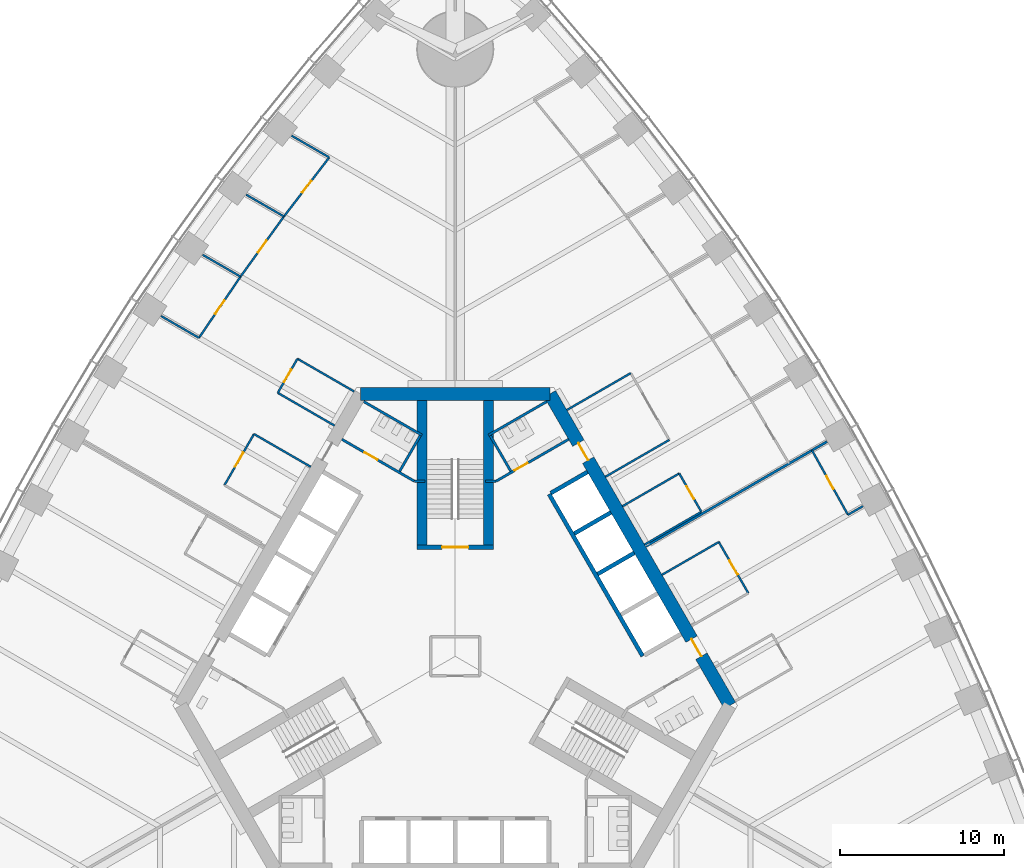
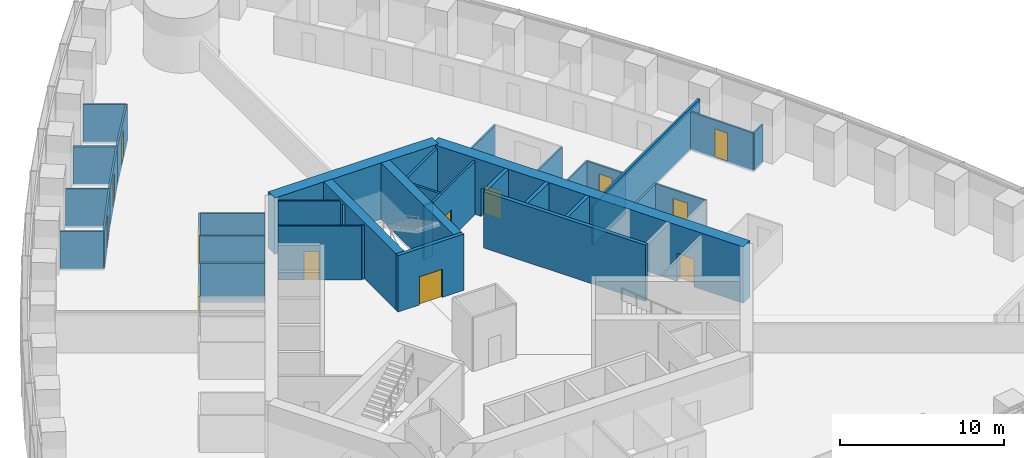
# One storey, part 12 of 18: 39 walls, 13 doors, 13 openings.
"""IFC4 building model written with IfcOpenShell, lengths in metres."""

from ifc_helpers import new_model, si_unit, direction, frame, frame_2d, origin, place, context, subcontext, project, spatial, rectangle, extrude, material, layer, layer_set, type_object, element, fill, save


model = new_model("IFC4")

# Units and contexts
model_context = context("Model", 3, precision=1e-05, world=origin(), true_north=direction((0.0, 1.0)))
body_context = subcontext(model_context, "Body", "Model", "MODEL_VIEW")
ifc_project = project(units=[si_unit("LENGTHUNIT", "METRE"), si_unit("AREAUNIT", "SQUARE_METRE"), si_unit("VOLUMEUNIT", "CUBIC_METRE"), si_unit("PLANEANGLEUNIT", "RADIAN"), si_unit("MASSUNIT", "GRAM", prefix="KILO")], contexts=[model_context])

# Site, building, storey
site_placement = place(None, origin())
site = spatial("IfcSite", under=ifc_project, at=site_placement, CompositionType="ELEMENT")
building_placement = place(site_placement, origin())
building = spatial("IfcBuilding", under=site, at=building_placement, Name="Trefoil Bronze Tower", CompositionType="ELEMENT")
storey_placement = place(building_placement, frame((0.0, 0.0, 37.5)))
storey = spatial("IfcBuildingStorey", under=building, at=storey_placement, Name="L08", CompositionType="ELEMENT", Elevation=37.5)

# Wall, openings, doors
ifc_material_1 = material(Name="Concrete B80", Category="concrete")
ifc_layer_1 = layer(ifc_material_1, 0.800048828125)
ifc_layer_set_1 = layer_set([ifc_layer_1], Name="Core wall 800")
wall_type_1 = type_object("IfcWallType", Name="Core wall 800", PredefinedType="SHEAR", material=ifc_layer_set_1)
wall_1_placement = place(storey_placement, frame((16.7431640625, -3.0, 0.0), z_axis=(0.0, 0.0, 1.0), x_axis=(-0.500002442456, 0.866023993627, 0.0)))
wall_1 = element("IfcWall", 1, at=wall_1_placement, inside=storey, type_object=wall_type_1, Name="Core long wall 2 L08", PredefinedType="SHEAR", context=body_context, shape_type="SweptSolid", body=[
    extrude(rectangle(XDim=21.939453125, YDim=0.800048828125, at=frame_2d((10.9697265625, 0.0))), origin(), (0.0, 0.0, 1.0), 4.199951171875),
])
opening_1_placement = place(wall_1_placement, frame((17.269775390625, 0.0, 0.0)))
opening_1 = element("IfcOpeningElement", 2, at=opening_1_placement, cuts=wall_1, Name="Opening D2", PredefinedType="OPENING", context=body_context, shape_type="SweptSolid", body=[
    extrude(rectangle(XDim=1.199951171875, YDim=2.10009765625, at=frame_2d((0.60009765625, 1.050048828125))), frame((0.0, 0.409912109375, 0.0), z_axis=(0.0, -1.0, 0.0), x_axis=(1.0, 0.0, 0.0)), (0.0, 0.0, 1.0), 0.820068359375),
])
opening_2_placement = place(wall_1_placement, frame((3.4697265625, 0.0, 0.0)))
opening_2 = element("IfcOpeningElement", 3, at=opening_2_placement, cuts=wall_1, Name="Opening D2", PredefinedType="OPENING", context=body_context, shape_type="SweptSolid", body=[
    extrude(rectangle(XDim=1.199951171875, YDim=2.10009765625, at=frame_2d((0.60009765625, 1.050048828125))), frame((0.0, 0.409912109375, 0.0), z_axis=(0.0, -1.0, 0.0), x_axis=(1.0, 0.0, 0.0)), (0.0, 0.0, 1.0), 0.820068359375),
])
ifc_material_2 = material(Name="Steel door", Category="steel")
door_type_1 = type_object("IfcDoorType", Name="Lobby door 1200", OperationType="SINGLE_SWING_RIGHT", PredefinedType="DOOR", material=ifc_material_2)
door_1_placement = place(opening_1_placement, origin())
door_1 = element("IfcDoor", 4, at=door_1_placement, inside=storey, type_object=door_type_1, Name="Lobby door F2+ L08", OperationType="SINGLE_SWING_RIGHT", OverallHeight=2.10009765625, OverallWidth=1.199951171875, PredefinedType="DOOR", context=body_context, shape_type="SweptSolid", body=[
    extrude(rectangle(XDim=1.199951171875, YDim=2.10009765625, at=frame_2d((0.60009765625, 1.050048828125))), frame((0.0, 0.02490234375, 0.0), z_axis=(0.0, -1.0, 0.0), x_axis=(1.0, 0.0, 0.0)), (0.0, 0.0, 1.0), 0.050048828125),
])
fill(opening_1, door_1)
door_2_placement = place(opening_2_placement, origin())
door_2 = element("IfcDoor", 5, at=door_2_placement, inside=storey, type_object=door_type_1, Name="Lobby door F2- L08", OperationType="SINGLE_SWING_LEFT", OverallHeight=2.10009765625, OverallWidth=1.199951171875, PredefinedType="DOOR", context=body_context, shape_type="SweptSolid", body=[
    extrude(rectangle(XDim=1.199951171875, YDim=2.10009765625, at=frame_2d((0.60009765625, 1.050048828125))), frame((0.0, 0.02490234375, 0.0), z_axis=(0.0, -1.0, 0.0), x_axis=(1.0, 0.0, 0.0)), (0.0, 0.0, 1.0), 0.050048828125),
])
fill(opening_2, door_2)

# Wall
wall_2_placement = place(storey_placement, frame((5.7734375, 16.0, 0.0), z_axis=(0.0, 0.0, 1.0), x_axis=(-1.0, 0.0, 0.0)))
element("IfcWall", 6, at=wall_2_placement, inside=storey, type_object=wall_type_1, Name="Core short wall 2 L08", PredefinedType="SHEAR", context=body_context, shape_type="SweptSolid", body=[
    extrude(rectangle(XDim=11.546875, YDim=0.800048828125, at=frame_2d((5.7734375, 0.0))), origin(), (0.0, 0.0, 1.0), 4.199951171875),
])

# Wall, opening, door
ifc_material_3 = material(Name="Glazed partition", Category="glass")
ifc_layer_2 = layer(ifc_material_3, 0.1201171875)
ifc_layer_set_2 = layer_set([ifc_layer_2], Name="Glazed partition 120")
wall_type_2 = type_object("IfcWallType", Name="Glazed partition 120", PredefinedType="PARTITIONING", material=ifc_layer_set_2)
wall_3_placement = place(storey_placement, frame((15.00634765625, 8.808349609375, 0.0), z_axis=(0.0, 0.0, 1.0), x_axis=(-0.500048589285, 0.86599734893, 0.0)))
wall_3 = element("IfcWall", 7, at=wall_3_placement, inside=storey, type_object=wall_type_2, Name="Partition F2 L08", PredefinedType="PARTITIONING", context=body_context, shape_type="SweptSolid", body=[
    extrude(rectangle(XDim=2.699951171875, YDim=0.1201171875, at=frame_2d((1.35009765625, 0.0))), origin(), (0.0, 0.0, 1.0), 2.89990234375),
])
opening_3_placement = place(wall_3_placement, frame((0.89990234375, 0.0, 0.14990234375)))
opening_3 = element("IfcOpeningElement", 8, at=opening_3_placement, cuts=wall_3, Name="Opening D8", PredefinedType="OPENING", context=body_context, shape_type="SweptSolid", body=[
    extrude(rectangle(XDim=0.89990234375, YDim=2.10009765625, at=frame_2d((0.449951171875, 1.050048828125))), frame((0.0, 0.070068359375, 0.0), z_axis=(0.0, -1.0, 0.0), x_axis=(1.0, 0.0, 0.0)), (0.0, 0.0, 1.0), 0.14013671875),
])
ifc_material_4 = material(Name="Timber door", Category="wood")
door_type_2 = type_object("IfcDoorType", Name="Office door 900", OperationType="SINGLE_SWING_LEFT", PredefinedType="DOOR", material=ifc_material_4)
door_3_placement = place(opening_3_placement, origin())
door_3 = element("IfcDoor", 9, at=door_3_placement, inside=storey, type_object=door_type_2, Name="Pantry door F2 L08", OperationType="SINGLE_SWING_LEFT", OverallHeight=2.10009765625, OverallWidth=0.89990234375, PredefinedType="DOOR", context=body_context, shape_type="SweptSolid", body=[
    extrude(rectangle(XDim=0.89990234375, YDim=2.10009765625, at=frame_2d((0.449951171875, 1.050048828125))), frame((0.0, 0.02490234375, 0.0), z_axis=(0.0, -1.0, 0.0), x_axis=(1.0, 0.0, 0.0)), (0.0, 0.0, 1.0), 0.050048828125),
])
fill(opening_3, door_3)

wall_4_placement = place(storey_placement, frame((17.868896484375, 3.850341796875, 0.0), z_axis=(0.0, 0.0, 1.0), x_axis=(-0.500012057535, 0.866018442252, 0.0)))
wall_4 = element("IfcWall", 10, at=wall_4_placement, inside=storey, type_object=wall_type_2, Name="Partition F2 L08", PredefinedType="PARTITIONING", context=body_context, shape_type="SweptSolid", body=[
    extrude(rectangle(XDim=3.60009765625, YDim=0.1201171875, at=frame_2d((1.800048828125, 0.0))), origin(), (0.0, 0.0, 1.0), 2.89990234375),
])
opening_4_placement = place(wall_4_placement, frame((1.300048828125, 0.0, 0.14990234375)))
opening_4 = element("IfcOpeningElement", 11, at=opening_4_placement, cuts=wall_4, Name="Opening D9", PredefinedType="OPENING", context=body_context, shape_type="SweptSolid", body=[
    extrude(rectangle(XDim=1.0, YDim=2.10009765625, at=frame_2d((0.5, 1.050048828125))), frame((0.0, 0.070068359375, 0.0), z_axis=(0.0, -1.0, 0.0), x_axis=(1.0, 0.0, 0.0)), (0.0, 0.0, 1.0), 0.14013671875),
])
ifc_material_5 = material(Name="Glazed timber door", Category="wood")
door_type_3 = type_object("IfcDoorType", Name="Meeting room door 1000", OperationType="SINGLE_SWING_LEFT", PredefinedType="DOOR", material=ifc_material_5)
door_4_placement = place(opening_4_placement, origin())
door_4 = element("IfcDoor", 12, at=door_4_placement, inside=storey, type_object=door_type_3, Name="Meeting room door F2 L08", OperationType="SINGLE_SWING_RIGHT", OverallHeight=2.10009765625, OverallWidth=1.0, PredefinedType="DOOR", context=body_context, shape_type="SweptSolid", body=[
    extrude(rectangle(XDim=1.0, YDim=2.10009765625, at=frame_2d((0.5, 1.050048828125))), frame((0.0, 0.02490234375, 0.0), z_axis=(0.0, -1.0, 0.0), x_axis=(1.0, 0.0, 0.0)), (0.0, 0.0, 1.0), 0.050048828125),
])
fill(opening_4, door_4)

# Walls
for number, where, z_axis, x_axis, name in (
    (13, (11.542236328125, 6.808349609375, 0.0), (0.0, 0.0, 1.0), (0.866026010844, 0.49999894854, 0.0), "Partition F2 L08"),
    (14, (10.192138671875, 9.146484375, 0.0), (0.0, 0.0, 1.0), (0.866026010844, 0.49999894854, 0.0), "Partition F2 L08"),
):
    element("IfcWall", number, at=place(storey_placement, frame(where, z_axis=z_axis, x_axis=x_axis)), inside=storey, type_object=wall_type_2, Name=name, PredefinedType="PARTITIONING", context=body_context, shape_type="SweptSolid", body=[
        extrude(rectangle(XDim=4.0, YDim=0.1201171875, at=frame_2d((2.0, 0.0))), origin(), (0.0, 0.0, 1.0), 2.89990234375),
    ])
wall_5_placement = place(storey_placement, frame((9.15478515625, 10.943603515625, 0.0), z_axis=(0.0, 0.0, 1.0), x_axis=(0.866017533419, 0.500013631625, 0.0)))
element("IfcWall", 15, at=wall_5_placement, inside=storey, type_object=wall_type_2, Name="Partition F2 L08", PredefinedType="PARTITIONING", context=body_context, shape_type="SweptSolid", body=[
    extrude(rectangle(XDim=4.499755859375, YDim=0.1201171875, at=frame_2d((2.25, 0.0))), origin(), (0.0, 0.0, 1.0), 2.89990234375),
])
wall_6_placement = place(storey_placement, frame((6.8046875, 15.013916015625, 0.0), z_axis=(0.0, 0.0, 1.0), x_axis=(0.866031096941, 0.499990139034, 0.0)))
element("IfcWall", 16, at=wall_6_placement, inside=storey, type_object=wall_type_2, Name="Partition F2 L08", PredefinedType="PARTITIONING", context=body_context, shape_type="SweptSolid", body=[
    extrude(rectangle(XDim=4.5, YDim=0.1201171875, at=frame_2d((2.25, 0.0))), origin(), (0.0, 0.0, 1.0), 2.89990234375),
])
wall_7_placement = place(storey_placement, frame((12.604736328125, 4.968017578125, 0.0), z_axis=(0.0, 0.0, 1.0), x_axis=(0.866026010844, 0.49999894854, 0.0)))
element("IfcWall", 17, at=wall_7_placement, inside=storey, type_object=wall_type_2, Name="Partition F2 L08", PredefinedType="PARTITIONING", context=body_context, shape_type="SweptSolid", body=[
    extrude(rectangle(XDim=4.0, YDim=0.1201171875, at=frame_2d((2.0, 0.0))), origin(), (0.0, 0.0, 1.0), 2.89990234375),
])

# Wall, opening, door
wall_8_placement = place(storey_placement, frame((23.942626953125, 8.627197265625, 0.0), z_axis=(0.0, 0.0, 1.0), x_axis=(-0.487415216275, 0.87317031955, 0.0)))
wall_8 = element("IfcWall", 18, at=wall_8_placement, inside=storey, type_object=wall_type_2, Name="Partition F2 L08", PredefinedType="PARTITIONING", context=body_context, shape_type="SweptSolid", body=[
    extrude(rectangle(XDim=4.50048828125, YDim=0.1201171875, at=frame_2d((2.250244140625, 0.0))), origin(), (0.0, 0.0, 1.0), 2.89990234375),
])
opening_5_placement = place(wall_8_placement, frame((1.800048828125, 0.0, 0.14990234375)))
opening_5 = element("IfcOpeningElement", 19, at=opening_5_placement, cuts=wall_8, Name="Opening D8", PredefinedType="OPENING", context=body_context, shape_type="SweptSolid", body=[
    extrude(rectangle(XDim=0.89990234375, YDim=2.10009765625, at=frame_2d((0.449951171875, 1.050048828125))), frame((0.0, 0.070068359375, 0.0), z_axis=(0.0, -1.0, 0.0), x_axis=(1.0, 0.0, 0.0)), (0.0, 0.0, 1.0), 0.14013671875),
])
door_5_placement = place(opening_5_placement, frame((0.89990234375, 0.0, 0.0), z_axis=(0.0, 0.0, 1.0), x_axis=(-1.0, 0.0, 0.0)))
door_5 = element("IfcDoor", 20, at=door_5_placement, inside=storey, type_object=door_type_2, Name="Comms room door F2 L08", OperationType="SINGLE_SWING_RIGHT", OverallHeight=2.10009765625, OverallWidth=0.89990234375, PredefinedType="DOOR", context=body_context, shape_type="SweptSolid", body=[
    extrude(rectangle(XDim=0.89990234375, YDim=2.10009765625, at=frame_2d((0.449951171875, 1.050048828125))), frame((0.0, 0.02490234375, 0.0), z_axis=(0.0, -1.0, 0.0), x_axis=(1.0, 0.0, 0.0)), (0.0, 0.0, 1.0), 0.050048828125),
])
fill(opening_5, door_5)

# Wall
wall_9_placement = place(storey_placement, frame((23.942626953125, 8.627197265625, 0.0), z_axis=(0.0, 0.0, 1.0), x_axis=(0.866054481515, 0.499949632511, 0.0)))
element("IfcWall", 21, at=wall_9_placement, inside=storey, type_object=wall_type_2, Name="Partition F2 L08", PredefinedType="PARTITIONING", context=body_context, shape_type="SweptSolid", body=[
    extrude(rectangle(XDim=1.05419921875, YDim=0.1201171875, at=frame_2d((0.527099609375, 0.0))), origin(), (0.0, 0.0, 1.0), 2.89990234375),
])

# Wall, opening, door
wall_10_placement = place(storey_placement, frame((-9.618896484375, 18.1396484375, 0.0), z_axis=(0.0, 0.0, 1.0), x_axis=(-0.500001309137, -0.866024647952, 0.0)))
wall_10 = element("IfcWall", 22, at=wall_10_placement, inside=storey, type_object=wall_type_2, Name="Partition F3 L08", PredefinedType="PARTITIONING", context=body_context, shape_type="SweptSolid", body=[
    extrude(rectangle(XDim=2.39990234375, YDim=0.1201171875, at=frame_2d((1.199951171875, 0.0))), origin(), (0.0, 0.0, 1.0), 2.89990234375),
])
opening_6_placement = place(wall_10_placement, frame((0.75, 0.0, 0.14990234375)))
opening_6 = element("IfcOpeningElement", 23, at=opening_6_placement, cuts=wall_10, Name="Opening D8", PredefinedType="OPENING", context=body_context, shape_type="SweptSolid", body=[
    extrude(rectangle(XDim=0.89990234375, YDim=2.10009765625, at=frame_2d((0.449951171875, 1.050048828125))), frame((0.0, 0.070068359375, 0.0), z_axis=(0.0, -1.0, 0.0), x_axis=(1.0, 0.0, 0.0)), (0.0, 0.0, 1.0), 0.14013671875),
])
door_6_placement = place(opening_6_placement, origin())
door_6 = element("IfcDoor", 24, at=door_6_placement, inside=storey, type_object=door_type_2, Name="Store door F3 L08", OperationType="SINGLE_SWING_RIGHT", OverallHeight=2.10009765625, OverallWidth=0.89990234375, PredefinedType="DOOR", context=body_context, shape_type="SweptSolid", body=[
    extrude(rectangle(XDim=0.89990234375, YDim=2.10009765625, at=frame_2d((0.449951171875, 1.050048828125))), frame((0.0, 0.02490234375, 0.0), z_axis=(0.0, -1.0, 0.0), x_axis=(1.0, 0.0, 0.0)), (0.0, 0.0, 1.0), 0.050048828125),
])
fill(opening_6, door_6)

wall_11_placement = place(storey_placement, frame((-12.268798828125, 13.5498046875, 0.0), z_axis=(0.0, 0.0, 1.0), x_axis=(-0.500012057535, -0.866018442252, 0.0)))
wall_11 = element("IfcWall", 25, at=wall_11_placement, inside=storey, type_object=wall_type_2, Name="Partition F3 L08", PredefinedType="PARTITIONING", context=body_context, shape_type="SweptSolid", body=[
    extrude(rectangle(XDim=3.60009765625, YDim=0.1201171875, at=frame_2d((1.800048828125, 0.0))), origin(), (0.0, 0.0, 1.0), 2.89990234375),
])
opening_7_placement = place(wall_11_placement, frame((1.300048828125, 0.0, 0.14990234375)))
opening_7 = element("IfcOpeningElement", 26, at=opening_7_placement, cuts=wall_11, Name="Opening D9", PredefinedType="OPENING", context=body_context, shape_type="SweptSolid", body=[
    extrude(rectangle(XDim=1.0, YDim=2.10009765625, at=frame_2d((0.5, 1.050048828125))), frame((0.0, 0.070068359375, 0.0), z_axis=(0.0, -1.0, 0.0), x_axis=(1.0, 0.0, 0.0)), (0.0, 0.0, 1.0), 0.14013671875),
])
door_7_placement = place(opening_7_placement, origin())
door_7 = element("IfcDoor", 27, at=door_7_placement, inside=storey, type_object=door_type_3, Name="Meeting room door F3 L08", OperationType="SINGLE_SWING_RIGHT", OverallHeight=2.10009765625, OverallWidth=1.0, PredefinedType="DOOR", context=body_context, shape_type="SweptSolid", body=[
    extrude(rectangle(XDim=1.0, YDim=2.10009765625, at=frame_2d((0.5, 1.050048828125))), frame((0.0, 0.02490234375, 0.0), z_axis=(0.0, -1.0, 0.0), x_axis=(1.0, 0.0, 0.0)), (0.0, 0.0, 1.0), 0.050048828125),
])
fill(opening_7, door_7)

# Walls
for number, where, z_axis, x_axis, name in (
    (28, (-6.15478515625, 16.1396484375, 0.0), (0.0, 0.0, 1.0), (-0.866026010844, 0.49999894854, 0.0), "Partition F3 L08"),
    (29, (-8.8046875, 11.5498046875, 0.0), (0.0, 0.0, 1.0), (-0.866026010844, 0.49999894854, 0.0), "Partition F3 L08"),
    (30, (-7.354736328125, 14.061279296875, 0.0), (0.0, 0.0, 1.0), (-0.866026010844, 0.49999894854, 0.0), "Partition F3 L08"),
):
    element("IfcWall", number, at=place(storey_placement, frame(where, z_axis=z_axis, x_axis=x_axis)), inside=storey, type_object=wall_type_2, Name=name, PredefinedType="PARTITIONING", context=body_context, shape_type="SweptSolid", body=[
        extrude(rectangle(XDim=4.0, YDim=0.1201171875, at=frame_2d((2.0, 0.0))), origin(), (0.0, 0.0, 1.0), 2.89990234375),
    ])

# Wall, opening, door
wall_12_placement = place(storey_placement, frame((-13.090576171875, 23.146240234375, 0.0), z_axis=(0.0, 0.0, 1.0), x_axis=(-0.561512004239, -0.827468591002, 0.0)))
wall_12 = element("IfcWall", 31, at=wall_12_placement, inside=storey, type_object=wall_type_2, Name="Partition F3 L08", PredefinedType="PARTITIONING", context=body_context, shape_type="SweptSolid", body=[
    extrude(rectangle(XDim=4.51171875, YDim=0.1201171875, at=frame_2d((2.255859375, 0.0))), origin(), (0.0, 0.0, 1.0), 2.89990234375),
])
opening_8_placement = place(wall_12_placement, frame((1.75, 0.0, 0.14990234375)))
opening_8 = element("IfcOpeningElement", 32, at=opening_8_placement, cuts=wall_12, Name="Opening D9", PredefinedType="OPENING", context=body_context, shape_type="SweptSolid", body=[
    extrude(rectangle(XDim=1.0, YDim=2.10009765625, at=frame_2d((0.5, 1.050048828125))), frame((0.0, 0.070068359375, 0.0), z_axis=(0.0, -1.0, 0.0), x_axis=(1.0, 0.0, 0.0)), (0.0, 0.0, 1.0), 0.14013671875),
])
door_8_placement = place(opening_8_placement, frame((1.0, 0.0, 0.0), z_axis=(0.0, 0.0, 1.0), x_axis=(-1.0, 0.0, 0.0)))
door_8 = element("IfcDoor", 33, at=door_8_placement, inside=storey, type_object=door_type_3, Name="Meeting room door F3 L08", OperationType="SINGLE_SWING_RIGHT", OverallHeight=2.10009765625, OverallWidth=1.0, PredefinedType="DOOR", context=body_context, shape_type="SweptSolid", body=[
    extrude(rectangle(XDim=1.0, YDim=2.10009765625, at=frame_2d((0.5, 1.050048828125))), frame((0.0, 0.02490234375, 0.0), z_axis=(0.0, -1.0, 0.0), x_axis=(1.0, 0.0, 0.0)), (0.0, 0.0, 1.0), 0.050048828125),
])
fill(opening_8, door_8)

wall_13_placement = place(storey_placement, frame((-10.44287109375, 26.813720703125, 0.0), z_axis=(0.0, 0.0, 1.0), x_axis=(-0.58534077607, -0.810787380187, 0.0)))
wall_13 = element("IfcWall", 34, at=wall_13_placement, inside=storey, type_object=wall_type_2, Name="Partition F3 L08", PredefinedType="PARTITIONING", context=body_context, shape_type="SweptSolid", body=[
    extrude(rectangle(XDim=4.5234375, YDim=0.1201171875, at=frame_2d((2.26171875, 0.0))), origin(), (0.0, 0.0, 1.0), 2.89990234375),
])
opening_9_placement = place(wall_13_placement, frame((1.800048828125, 0.0, 0.14990234375)))
opening_9 = element("IfcOpeningElement", 35, at=opening_9_placement, cuts=wall_13, Name="Opening D8", PredefinedType="OPENING", context=body_context, shape_type="SweptSolid", body=[
    extrude(rectangle(XDim=0.89990234375, YDim=2.10009765625, at=frame_2d((0.449951171875, 1.050048828125))), frame((0.0, 0.070068359375, 0.0), z_axis=(0.0, -1.0, 0.0), x_axis=(1.0, 0.0, 0.0)), (0.0, 0.0, 1.0), 0.14013671875),
])
door_9_placement = place(opening_9_placement, frame((0.89990234375, 0.0, 0.0), z_axis=(0.0, 0.0, 1.0), x_axis=(-1.0, 0.0, 0.0)))
door_9 = element("IfcDoor", 36, at=door_9_placement, inside=storey, type_object=door_type_2, Name="Office door F3 L08", OperationType="SINGLE_SWING_RIGHT", OverallHeight=2.10009765625, OverallWidth=0.89990234375, PredefinedType="DOOR", context=body_context, shape_type="SweptSolid", body=[
    extrude(rectangle(XDim=0.89990234375, YDim=2.10009765625, at=frame_2d((0.449951171875, 1.050048828125))), frame((0.0, 0.02490234375, 0.0), z_axis=(0.0, -1.0, 0.0), x_axis=(1.0, 0.0, 0.0)), (0.0, 0.0, 1.0), 0.050048828125),
])
fill(opening_9, door_9)

wall_14_placement = place(storey_placement, frame((-7.679443359375, 30.41455078125, 0.0), z_axis=(0.0, 0.0, 1.0), x_axis=(-0.608818785139, -0.79330932609, 0.0)))
wall_14 = element("IfcWall", 37, at=wall_14_placement, inside=storey, type_object=wall_type_2, Name="Partition F3 L08", PredefinedType="PARTITIONING", context=body_context, shape_type="SweptSolid", body=[
    extrude(rectangle(XDim=4.5390625, YDim=0.1201171875, at=frame_2d((2.26953125, 0.0))), origin(), (0.0, 0.0, 1.0), 2.89990234375),
])
opening_10_placement = place(wall_14_placement, frame((1.800048828125, 0.0, 0.14990234375)))
opening_10 = element("IfcOpeningElement", 38, at=opening_10_placement, cuts=wall_14, Name="Opening D8", PredefinedType="OPENING", context=body_context, shape_type="SweptSolid", body=[
    extrude(rectangle(XDim=0.89990234375, YDim=2.10009765625, at=frame_2d((0.449951171875, 1.050048828125))), frame((0.0, 0.070068359375, 0.0), z_axis=(0.0, -1.0, 0.0), x_axis=(1.0, 0.0, 0.0)), (0.0, 0.0, 1.0), 0.14013671875),
])
door_10_placement = place(opening_10_placement, frame((0.89990234375, 0.0, 0.0), z_axis=(0.0, 0.0, 1.0), x_axis=(-1.0, 0.0, 0.0)))
door_10 = element("IfcDoor", 39, at=door_10_placement, inside=storey, type_object=door_type_2, Name="Office door F3 L08", OperationType="SINGLE_SWING_RIGHT", OverallHeight=2.10009765625, OverallWidth=0.89990234375, PredefinedType="DOOR", context=body_context, shape_type="SweptSolid", body=[
    extrude(rectangle(XDim=0.89990234375, YDim=2.10009765625, at=frame_2d((0.449951171875, 1.050048828125))), frame((0.0, 0.02490234375, 0.0), z_axis=(0.0, -1.0, 0.0), x_axis=(1.0, 0.0, 0.0)), (0.0, 0.0, 1.0), 0.050048828125),
])
fill(opening_10, door_10)

# Walls
wall_15_placement = place(storey_placement, frame((-13.090576171875, 23.146240234375, 0.0), z_axis=(0.0, 0.0, 1.0), x_axis=(-0.866023818221, 0.500002746266, 0.0)))
element("IfcWall", 40, at=wall_15_placement, inside=storey, type_object=wall_type_2, Name="Partition F3 L08", PredefinedType="PARTITIONING", context=body_context, shape_type="SweptSolid", body=[
    extrude(rectangle(XDim=2.6640625, YDim=0.1201171875, at=frame_2d((1.33203125, 0.0))), origin(), (0.0, 0.0, 1.0), 2.89990234375),
])
wall_16_placement = place(storey_placement, frame((-10.44287109375, 26.813720703125, 0.0), z_axis=(0.0, 0.0, 1.0), x_axis=(-0.866031171652, 0.499990009627, 0.0)))
element("IfcWall", 41, at=wall_16_placement, inside=storey, type_object=wall_type_2, Name="Partition F3 L08", PredefinedType="PARTITIONING", context=body_context, shape_type="SweptSolid", body=[
    extrude(rectangle(XDim=2.6591796875, YDim=0.1201171875, at=frame_2d((1.32958984375, 0.0))), origin(), (0.0, 0.0, 1.0), 2.89990234375),
])
wall_17_placement = place(storey_placement, frame((-7.679443359375, 30.41455078125, 0.0), z_axis=(0.0, 0.0, 1.0), x_axis=(-0.866026229868, 0.499998569178, 0.0)))
element("IfcWall", 42, at=wall_17_placement, inside=storey, type_object=wall_type_2, Name="Partition F3 L08", PredefinedType="PARTITIONING", context=body_context, shape_type="SweptSolid", body=[
    extrude(rectangle(XDim=2.6533203125, YDim=0.1201171875, at=frame_2d((1.32666015625, 0.0))), origin(), (0.0, 0.0, 1.0), 2.89990234375),
])
wall_18_placement = place(storey_placement, frame((-15.6240234375, 19.412841796875, 0.0), z_axis=(0.0, 0.0, 1.0), x_axis=(-0.866020974757, 0.500007671222, 0.0)))
element("IfcWall", 43, at=wall_18_placement, inside=storey, type_object=wall_type_2, Name="Partition F3 L08", PredefinedType="PARTITIONING", context=body_context, shape_type="SweptSolid", body=[
    extrude(rectangle(XDim=2.66748046875, YDim=0.1201171875, at=frame_2d((1.333740234375, 0.0))), origin(), (0.0, 0.0, 1.0), 2.89990234375),
])

# Wall, opening, door
ifc_material_6 = material(Name="Gypsum board on steel studs", Category="steel")
ifc_layer_3 = layer(ifc_material_6, 0.14990234375)
ifc_layer_set_3 = layer_set([ifc_layer_3], Name="Partition 150")
wall_type_3 = type_object("IfcWallType", Name="Partition 150", PredefinedType="PARTITIONING", material=ifc_layer_set_3)
wall_19_placement = place(storey_placement, frame((2.4951171875, 10.67822265625, 0.0), z_axis=(0.0, 0.0, 1.0), x_axis=(0.86602216432, 0.500005610874, 0.0)))
wall_19 = element("IfcWall", 44, at=wall_19_placement, inside=storey, type_object=wall_type_3, Name="Passage wall F2+ L08", PredefinedType="PARTITIONING", context=body_context, shape_type="SweptSolid", body=[
    extrude(rectangle(XDim=5.10009765625, YDim=0.14990234375, at=frame_2d((2.550048828125, 0.0))), origin(), (0.0, 0.0, 1.0), 4.0),
])
opening_11_placement = place(wall_19_placement, frame((1.300048828125, 0.0, 0.0)))
opening_11 = element("IfcOpeningElement", 45, at=opening_11_placement, cuts=wall_19, Name="Opening D3", PredefinedType="OPENING", context=body_context, shape_type="SweptSolid", body=[
    extrude(rectangle(XDim=0.89990234375, YDim=2.10009765625, at=frame_2d((0.449951171875, 1.050048828125))), frame((0.0, 0.0849609375, 0.0), z_axis=(0.0, -1.0, 0.0), x_axis=(1.0, 0.0, 0.0)), (0.0, 0.0, 1.0), 0.169921875),
])
ifc_material_7 = material(Name="Timber door", Category="wood")
door_type_4 = type_object("IfcDoorType", Name="WC door 900", OperationType="SINGLE_SWING_LEFT", PredefinedType="DOOR", material=ifc_material_7)
door_11_placement = place(opening_11_placement, origin())
door_11 = element("IfcDoor", 46, at=door_11_placement, inside=storey, type_object=door_type_4, Name="WC (men) door L08", OperationType="SINGLE_SWING_LEFT", OverallHeight=2.10009765625, OverallWidth=0.89990234375, PredefinedType="DOOR", context=body_context, shape_type="SweptSolid", body=[
    extrude(rectangle(XDim=0.89990234375, YDim=2.10009765625, at=frame_2d((0.449951171875, 1.050048828125))), frame((0.0, 0.02490234375, 0.0), z_axis=(0.0, -1.0, 0.0), x_axis=(1.0, 0.0, 0.0)), (0.0, 0.0, 1.0), 0.050048828125),
])
fill(opening_11, door_11)

wall_20_placement = place(storey_placement, frame((-2.4951171875, 10.67822265625, 0.0), z_axis=(0.0, 0.0, 1.0), x_axis=(-0.86602216432, 0.500005610874, 0.0)))
wall_20 = element("IfcWall", 47, at=wall_20_placement, inside=storey, type_object=wall_type_3, Name="Passage wall F3- L08", PredefinedType="PARTITIONING", context=body_context, shape_type="SweptSolid", body=[
    extrude(rectangle(XDim=5.10009765625, YDim=0.14990234375, at=frame_2d((2.550048828125, 0.0))), origin(), (0.0, 0.0, 1.0), 4.0),
])
opening_12_placement = place(wall_20_placement, frame((2.60009765625, 0.0, 0.0)))
opening_12 = element("IfcOpeningElement", 48, at=opening_12_placement, cuts=wall_20, Name="Opening D3", PredefinedType="OPENING", context=body_context, shape_type="SweptSolid", body=[
    extrude(rectangle(XDim=0.89990234375, YDim=2.10009765625, at=frame_2d((0.449951171875, 1.050048828125))), frame((0.0, 0.0849609375, 0.0), z_axis=(0.0, -1.0, 0.0), x_axis=(1.0, 0.0, 0.0)), (0.0, 0.0, 1.0), 0.169921875),
])
door_12_placement = place(opening_12_placement, frame((0.89990234375, 0.0, 0.0), z_axis=(0.0, 0.0, 1.0), x_axis=(-1.0, 0.0, 0.0)))
door_12 = element("IfcDoor", 49, at=door_12_placement, inside=storey, type_object=door_type_4, Name="WC (women) door L08", OperationType="SINGLE_SWING_RIGHT", OverallHeight=2.10009765625, OverallWidth=0.89990234375, PredefinedType="DOOR", context=body_context, shape_type="SweptSolid", body=[
    extrude(rectangle(XDim=0.89990234375, YDim=2.10009765625, at=frame_2d((0.449951171875, 1.050048828125))), frame((0.0, 0.02490234375, 0.0), z_axis=(0.0, -1.0, 0.0), x_axis=(1.0, 0.0, 0.0)), (0.0, 0.0, 1.0), 0.050048828125),
])
fill(opening_12, door_12)

# Walls
for number, where, z_axis, x_axis, name in (
    (50, (2.4951171875, 10.67822265625, 0.0), (0.0, 0.0, 1.0), (-1.0, 0.0, 0.0), "WC wall ST2-1 L08"),
    (51, (-2.4951171875, 10.67822265625, 0.0), (0.0, 0.0, 1.0), (1.0, 0.0, 0.0), "WC wall ST2+1 L08"),
):
    element("IfcWall", number, at=place(storey_placement, frame(where, z_axis=z_axis, x_axis=x_axis)), inside=storey, type_object=wall_type_3, Name=name, PredefinedType="PARTITIONING", context=body_context, shape_type="SweptSolid", body=[
        extrude(rectangle(XDim=0.64501953125, YDim=0.14990234375, at=frame_2d((0.322509765625, 0.0))), origin(), (0.0, 0.0, 1.0), 4.0),
    ])
wall_21_placement = place(storey_placement, frame((2.03125, 13.48193359375, 0.0), z_axis=(0.0, 0.0, 1.0), x_axis=(0.866050731258, 0.499956128963, 0.0)))
element("IfcWall", 52, at=wall_21_placement, inside=storey, type_object=wall_type_3, Name="WC partition WC (men) L08", PredefinedType="PARTITIONING", context=body_context, shape_type="SweptSolid", body=[
    extrude(rectangle(XDim=4.099853515625, YDim=0.14990234375, at=frame_2d((2.0498046875, 0.0))), origin(), (0.0, 0.0, 1.0), 4.0),
])
wall_22_placement = place(storey_placement, frame((3.388671875, 11.28076171875, 0.0), z_axis=(0.0, 0.0, 1.0), x_axis=(-0.499989096993, 0.866031698547, 0.0)))
element("IfcWall", 53, at=wall_22_placement, inside=storey, type_object=wall_type_3, Name="WC partition WC (men) L08", PredefinedType="PARTITIONING", context=body_context, shape_type="SweptSolid", body=[
    extrude(rectangle(XDim=2.509765625, YDim=0.14990234375, at=frame_2d((1.2548828125, 0.0))), origin(), (0.0, 0.0, 1.0), 4.0),
])
wall_23_placement = place(storey_placement, frame((-2.03125, 13.48193359375, 0.0), z_axis=(0.0, 0.0, 1.0), x_axis=(-0.866050731258, 0.499956128963, 0.0)))
element("IfcWall", 54, at=wall_23_placement, inside=storey, type_object=wall_type_3, Name="WC partition WC (women) L08", PredefinedType="PARTITIONING", context=body_context, shape_type="SweptSolid", body=[
    extrude(rectangle(XDim=4.099853515625, YDim=0.14990234375, at=frame_2d((2.0498046875, 0.0))), origin(), (0.0, 0.0, 1.0), 4.0),
])
wall_24_placement = place(storey_placement, frame((-3.388671875, 11.28076171875, 0.0), z_axis=(0.0, 0.0, 1.0), x_axis=(0.499989096993, 0.866031698547, 0.0)))
element("IfcWall", 55, at=wall_24_placement, inside=storey, type_object=wall_type_3, Name="WC partition WC (women) L08", PredefinedType="PARTITIONING", context=body_context, shape_type="SweptSolid", body=[
    extrude(rectangle(XDim=2.509765625, YDim=0.14990234375, at=frame_2d((1.2548828125, 0.0))), origin(), (0.0, 0.0, 1.0), 4.0),
])
ifc_material_8 = material(Name="Gypsum board on steel studs", Category="steel")
ifc_layer_4 = layer(ifc_material_8, 0.14990234375)
ifc_layer_set_4 = layer_set([ifc_layer_4], Name="Party wall 150")
wall_type_4 = type_object("IfcWallType", Name="Party wall 150", PredefinedType="PARTITIONING", material=ifc_layer_set_4)
wall_25_placement = place(storey_placement, frame((11.61328125, 6.705078125, 0.0), z_axis=(0.0, 0.0, 1.0), x_axis=(0.86602785495, 0.499995754432, 0.0)))
element("IfcWall", 56, at=wall_25_placement, inside=storey, type_object=wall_type_4, Name="Demising wall F2 L08", PredefinedType="PARTITIONING", context=body_context, shape_type="SweptSolid", body=[
    extrude(rectangle(XDim=12.7587890625, YDim=0.14990234375, at=frame_2d((6.37939453125, 0.0))), origin(), (0.0, 0.0, 1.0), 3.199951171875),
])
ifc_material_9 = material(Name="Concrete B80", Category="concrete")
ifc_layer_5 = layer(ifc_material_9, 0.25)
ifc_layer_set_5 = layer_set([ifc_layer_5], Name="Shaft wall 250")
wall_type_5 = type_object("IfcWallType", Name="Shaft wall 250", PredefinedType="SHEAR", material=ifc_layer_set_5)
wall_26_placement = place(storey_placement, frame((11.423583984375, 0.013671875, 0.0), z_axis=(0.0, 0.0, 1.0), x_axis=(-0.500001763848, 0.866024385424, 0.0)))
element("IfcWall", 57, at=wall_26_placement, inside=storey, type_object=wall_type_5, Name="Lift shaft front wall B L08", PredefinedType="SHEAR", context=body_context, shape_type="SweptSolid", body=[
    extrude(rectangle(XDim=11.39990234375, YDim=0.25, at=frame_2d((5.699951171875, 0.0))), origin(), (0.0, 0.0, 1.0), 4.199951171875),
])
for number, where, z_axis, x_axis, name in (
    (58, (8.681884765625, 5.012451171875, 0.0), (0.0, 0.0, 1.0), (0.866005588531, 0.500034319456, 0.0), "Lift shaft side wall B2 L08"),
    (59, (7.2568359375, 7.480712890625, 0.0), (0.0, 0.0, 1.0), (0.866046643894, 0.499963209246, 0.0), "Lift shaft side wall B3 L08"),
):
    element("IfcWall", number, at=place(storey_placement, frame(where, z_axis=z_axis, x_axis=x_axis)), inside=storey, type_object=wall_type_5, Name=name, PredefinedType="SHEAR", context=body_context, shape_type="SweptSolid", body=[
        extrude(rectangle(XDim=2.574951171875, YDim=0.25, at=frame_2d((1.28759765625, 0.0))), origin(), (0.0, 0.0, 1.0), 4.199951171875),
    ])
wall_27_placement = place(storey_placement, frame((5.831787109375, 9.94873046875, 0.0), z_axis=(0.0, 0.0, 1.0), x_axis=(0.866029291668, 0.499993265928, 0.0)))
element("IfcWall", 60, at=wall_27_placement, inside=storey, type_object=wall_type_5, Name="Lift shaft side wall B4 L08", PredefinedType="SHEAR", context=body_context, shape_type="SweptSolid", body=[
    extrude(rectangle(XDim=2.5751953125, YDim=0.25, at=frame_2d((1.28759765625, 0.0))), origin(), (0.0, 0.0, 1.0), 4.199951171875),
])

# Wall, opening, door
wall_28_placement = place(storey_placement, frame((2.324951171875, 6.64990234375, 0.0), z_axis=(0.0, 0.0, 1.0), x_axis=(-1.0, 0.0, 0.0)))
wall_28 = element("IfcWall", 61, at=wall_28_placement, inside=storey, type_object=wall_type_5, Name="Stair end wall ST2 L08", PredefinedType="SHEAR", context=body_context, shape_type="SweptSolid", body=[
    extrude(rectangle(XDim=4.64990234375, YDim=0.25, at=frame_2d((2.324951171875, 0.0))), origin(), (0.0, 0.0, 1.0), 4.199951171875),
])
opening_13_placement = place(wall_28_placement, frame((1.52490234375, 0.0, 0.0)))
opening_13 = element("IfcOpeningElement", 62, at=opening_13_placement, cuts=wall_28, Name="Opening D1", PredefinedType="OPENING", context=body_context, shape_type="SweptSolid", body=[
    extrude(rectangle(XDim=1.60009765625, YDim=2.10009765625, at=frame_2d((0.800048828125, 1.050048828125))), frame((0.0, 0.135009765625, 0.0), z_axis=(0.0, -1.0, 0.0), x_axis=(1.0, 0.0, 0.0)), (0.0, 0.0, 1.0), 0.27001953125),
])
ifc_material_10 = material(Name="Steel door", Category="steel")
door_type_5 = type_object("IfcDoorType", Name="Stair door 1600", OperationType="DOUBLE_DOOR_SINGLE_SWING", PredefinedType="DOOR", material=ifc_material_10)
door_13_placement = place(opening_13_placement, frame((1.60009765625, 0.0, 0.0), z_axis=(0.0, 0.0, 1.0), x_axis=(-1.0, 0.0, 0.0)))
door_13 = element("IfcDoor", 63, at=door_13_placement, inside=storey, type_object=door_type_5, Name="Stair door ST2 L08", OperationType="DOUBLE_DOOR_SINGLE_SWING", OverallHeight=2.10009765625, OverallWidth=1.60009765625, PredefinedType="DOOR", context=body_context, shape_type="SweptSolid", body=[
    extrude(rectangle(XDim=1.60009765625, YDim=2.10009765625, at=frame_2d((0.800048828125, 1.050048828125))), frame((0.0, 0.02490234375, 0.0), z_axis=(0.0, -1.0, 0.0), x_axis=(1.0, 0.0, 0.0)), (0.0, 0.0, 1.0), 0.050048828125),
])
fill(opening_13, door_13)

# Walls
ifc_material_11 = material(Name="Concrete B80", Category="concrete")
ifc_layer_6 = layer(ifc_material_11, 0.60009765625)
ifc_layer_set_6 = layer_set([ifc_layer_6], Name="Stair wall 600")
wall_type_6 = type_object("IfcWallType", Name="Stair wall 600", PredefinedType="SHEAR", material=ifc_layer_set_6)
for number, where, z_axis, x_axis, name in (
    (64, (2.02490234375, 6.52490234375, 0.0), (0.0, 0.0, 1.0), (0.0, 1.0, 0.0), "Stair wall ST2 L08"),
    (65, (-2.02490234375, 6.52490234375, 0.0), (0.0, 0.0, 1.0), (0.0, 1.0, 0.0), "Stair wall ST2 L08"),
):
    element("IfcWall", number, at=place(storey_placement, frame(where, z_axis=z_axis, x_axis=x_axis)), inside=storey, type_object=wall_type_6, Name=name, PredefinedType="SHEAR", context=body_context, shape_type="SweptSolid", body=[
        extrude(rectangle(XDim=9.0751953125, YDim=0.60009765625, at=frame_2d((4.53759765625, 0.0))), origin(), (0.0, 0.0, 1.0), 4.199951171875),
    ])

save(model, "model.ifc")
